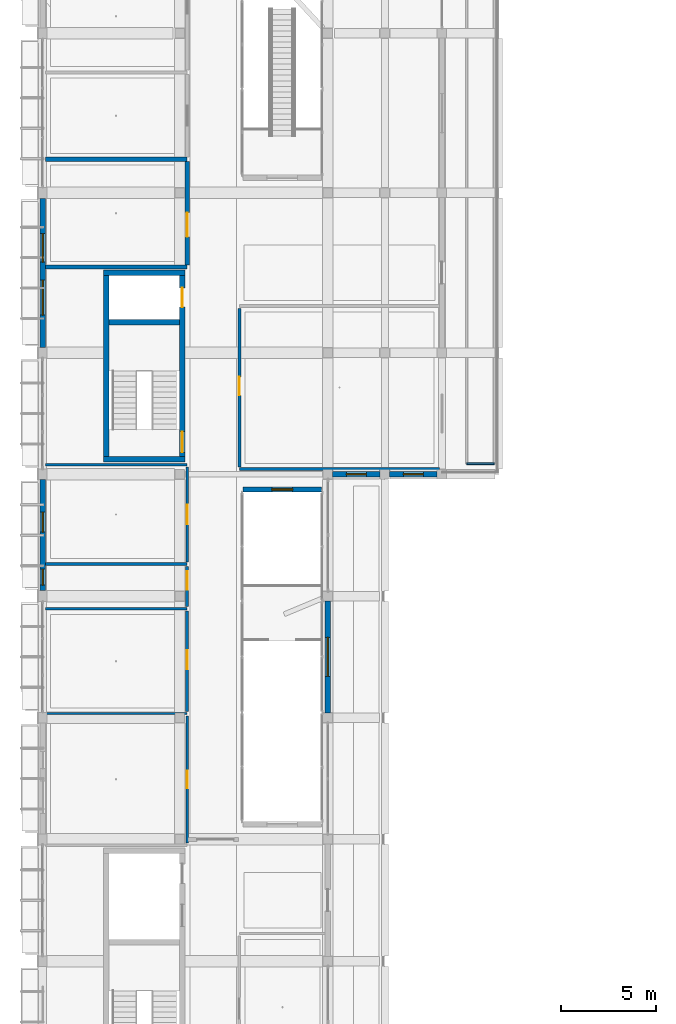
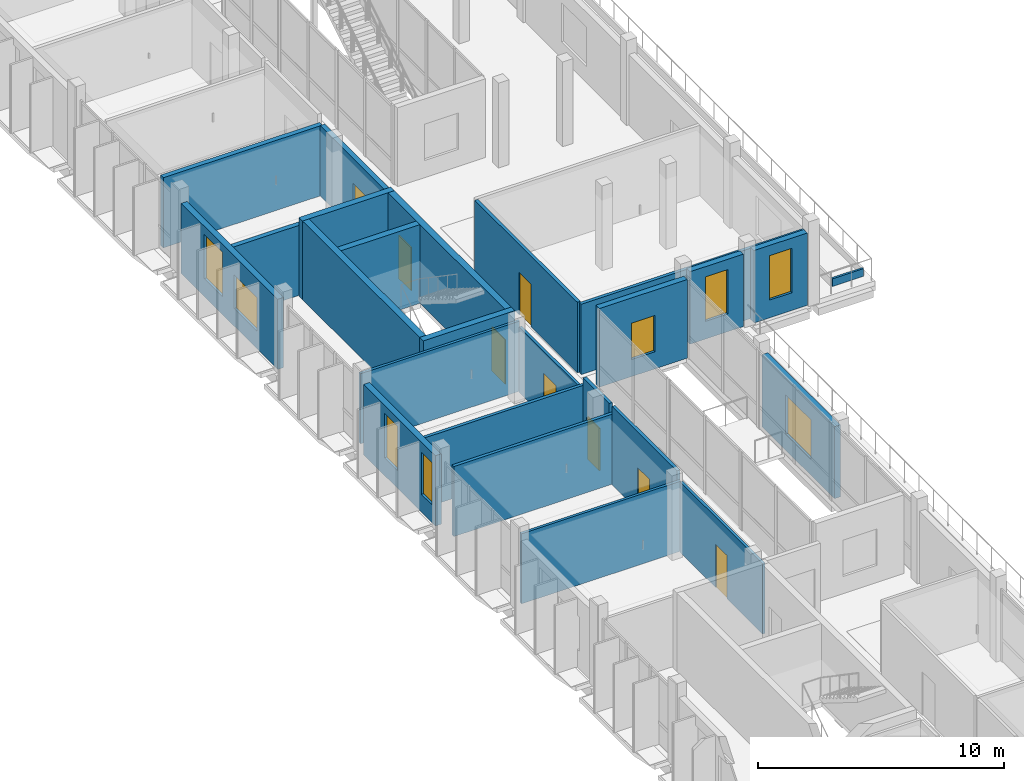
# One storey, part 48 of 85: 25 walls, 8 doors, 8 windows, 16 openings.
"""IFC4 building model written with IfcOpenShell, lengths in metres."""

import ifcopenshell
import ifcopenshell.guid

model = None  # the IFC model being written
_history = None  # IfcOwnerHistory: only IFC2X3 demands one
_inside = {}  # id of a spatial element -> (the spatial element, [elements in it])
_under = {}  # id of a project, library or spatial element -> (it, [spatial elements below it])
_declared = {}  # id of a project -> (the project, [libraries it declares])
_typed = {}  # id of a type object -> (the type object, [elements of that type])
_made_of = {}  # id of a material, layer set ... -> (it, [elements and type objects made of it])


def new_model(schema):
    """Start an empty IFC model of exactly this schema.

    Asked for "IFC4X3", IfcOpenShell would pick the latest addendum, in which some entities
    have other attributes; the version numbers below select the first issue.
    IFC2X3 requires an IfcOwnerHistory on every rooted entity: one is made here for all.
    """
    global model, _history
    if schema == "IFC4X3":
        model = ifcopenshell.file(schema_version=(4, 3, 0, 0))
    else:
        model = ifcopenshell.file(schema=schema)
    _inside.clear()
    _under.clear()
    _declared.clear()
    _typed.clear()
    _made_of.clear()
    _history = None
    if model.schema == "IFC2X3":
        org = make("IfcOrganization", Name="unknown")
        user = make(
            "IfcPersonAndOrganization",
            ThePerson=make("IfcPerson", FamilyName="unknown"),
            TheOrganization=org,
        )
        app = make(
            "IfcApplication",
            ApplicationDeveloper=org,
            Version="unknown",
            ApplicationFullName="unknown",
            ApplicationIdentifier="unknown",
        )
        _history = make(
            "IfcOwnerHistory",
            OwningUser=user,
            OwningApplication=app,
            ChangeAction="ADDED",
            CreationDate=0,
        )
    return model


def make(cls, **values):
    """One entity of the class cls with the attributes given. An attribute that is None is left unset."""
    return model.create_entity(
        cls, **{name: value for name, value in values.items() if value is not None}
    )


def rooted(cls, **values):
    """An entity with a GlobalId (a new one), such as an element, a storey or a relation."""
    return make(cls, GlobalId=ifcopenshell.guid.new(), OwnerHistory=_history, **values)


def si_unit(unit_type, name, prefix=None):
    """IfcSIUnit, for example si_unit("LENGTHUNIT", "METRE", prefix="MILLI")."""
    return make("IfcSIUnit", UnitType=unit_type, Prefix=prefix, Name=name)


def derived_unit(unit_type, elements):
    """IfcDerivedUnit: a product of units, each with its exponent."""
    return make(
        "IfcDerivedUnit",
        Elements=[
            make("IfcDerivedUnitElement", Unit=unit, Exponent=power)
            for unit, power in elements
        ],
        UnitType=unit_type,
    )


def assignment(units):
    """IfcUnitAssignment: the units of a project."""
    return None if units is None else make("IfcUnitAssignment", Units=units)


def point(xyz):
    """IfcCartesianPoint."""
    return None if xyz is None else make("IfcCartesianPoint", Coordinates=xyz)


def direction(xyz):
    """IfcDirection."""
    return None if xyz is None else make("IfcDirection", DirectionRatios=xyz)


def frame(location, z_axis=None, x_axis=None):
    """IfcAxis2Placement3D, a coordinate frame: its origin and axes. An axis left out is left unset."""
    return make(
        "IfcAxis2Placement3D",
        Location=point(location),
        Axis=direction(z_axis),
        RefDirection=direction(x_axis),
    )


def frame_2d(location, x_axis=None):
    """IfcAxis2Placement2D, a coordinate frame in the plane: its origin and x axis."""
    return make(
        "IfcAxis2Placement2D", Location=point(location), RefDirection=direction(x_axis)
    )


def origin():
    """The frame at (0, 0, 0) with its axes left unset."""
    return frame((0.0, 0.0, 0.0))


def origin_with_axes():
    """The frame at (0, 0, 0) with the z axis (0, 0, 1) and the x axis (1, 0, 0) written out."""
    return frame((0.0, 0.0, 0.0), z_axis=(0.0, 0.0, 1.0), x_axis=(1.0, 0.0, 0.0))


def place(relative_to, where):
    """IfcLocalPlacement: puts the frame where relative to a parent placement (None: the world)."""
    return make(
        "IfcLocalPlacement", PlacementRelTo=relative_to, RelativePlacement=where
    )


def context(
    kind, dimensions, precision=None, world=None, true_north=None, identifier=None
):
    """IfcGeometricRepresentationContext, for example the 3D "Model" context."""
    return make(
        "IfcGeometricRepresentationContext",
        ContextIdentifier=identifier,
        ContextType=kind,
        CoordinateSpaceDimension=dimensions,
        Precision=precision,
        WorldCoordinateSystem=world,
        TrueNorth=true_north,
    )


def subcontext(parent, identifier, kind, view, scale=None):
    """IfcGeometricRepresentationSubContext, for example "Body" below "Model"."""
    return make(
        "IfcGeometricRepresentationSubContext",
        ContextIdentifier=identifier,
        ContextType=kind,
        ParentContext=parent,
        TargetScale=scale,
        TargetView=view,
    )


def project(units=None, contexts=None):
    """IfcProject with its units and contexts."""
    return rooted(
        "IfcProject",
        Name="project",
        RepresentationContexts=contexts,
        UnitsInContext=assignment(units),
    )


def spatial(cls, under=None, at=None, **own):
    """A site, building, storey or space (cls), placed at a placement, below another one or the project."""
    s = rooted(cls, ObjectPlacement=at, **own)
    if under is not None:
        _under.setdefault(under.id(), (under, []))[1].append(s)
    return s


def profile(cls, at=None, kind="AREA", **sizes):
    """A parametric profile (cls). Its sizes go by their IFC names, for example OverallWidth=200.0."""
    return make(cls, ProfileType=kind, Position=at, **sizes)


def rectangle(**sizes):
    """IfcRectangleProfileDef."""
    return profile("IfcRectangleProfileDef", **sizes)


def extrude(swept, where, along, depth):
    """IfcExtrudedAreaSolid: the profile swept, set in the frame where, extruded along a direction by depth."""
    return make(
        "IfcExtrudedAreaSolid",
        SweptArea=swept,
        Position=where,
        ExtrudedDirection=direction(along),
        Depth=depth,
    )


def shape(context_of_items, identifier, shape_type, items):
    """IfcShapeRepresentation: the items that make up one representation, for example the "Body"."""
    return make(
        "IfcShapeRepresentation",
        ContextOfItems=context_of_items,
        RepresentationIdentifier=identifier,
        RepresentationType=shape_type,
        Items=items,
    )


def material(Name=None, Category=None):
    """IfcMaterial."""
    return make("IfcMaterial", Name=Name, Category=Category)


def layer(
    of_material, thickness, ventilated=None, Name=None, Category=None, Priority=None
):
    """IfcMaterialLayer: one layer of a wall or slab, of a material (None: an air gap)."""
    return make(
        "IfcMaterialLayer",
        Material=of_material,
        LayerThickness=thickness,
        IsVentilated=ventilated,
        Name=Name,
        Category=Category,
        Priority=Priority,
    )


def layer_set(layers, Name=None):
    """IfcMaterialLayerSet."""
    return make("IfcMaterialLayerSet", MaterialLayers=layers, LayerSetName=Name)


def made_of(thing, what):
    """Note that an element or type object is made of a material, layer set ...; save() writes the relation."""
    if what is not None:
        _made_of.setdefault(what.id(), (what, []))[1].append(thing)
    return thing


def type_object(cls, material=None, **own):
    """A type object (cls), such as IfcWallType, which elements share."""
    return made_of(rooted(cls, **own), material)


def element(
    cls,
    number,
    at=None,
    inside=None,
    cuts=None,
    type_object=None,
    material=None,
    context=None,
    identifier="Body",
    shape_type=None,
    held_by="IfcProductDefinitionShape",
    body=None,
    shapes=None,
    **own,
):
    """One element of the class cls, such as IfcWall. Its Tag is "e" and its number.

    at: its placement. inside: the storey or other place that contains it. cuts: it is an
    opening in that element (IfcRelVoidsElement). A single representation is given by context,
    identifier, shape_type and body (its items); several are given by shapes. held_by: the class
    of the entity that holds the representations. save() writes the other relations.
    """
    e = rooted(cls, Tag="e%d" % number, ObjectPlacement=at, **own)
    if body is not None:
        shapes = [shape(context, identifier, shape_type, body)]
    if shapes is not None:
        e.Representation = make(held_by, Representations=shapes)
    if inside is not None:
        _inside.setdefault(inside.id(), (inside, []))[1].append(e)
    if cuts is not None:
        rooted(
            "IfcRelVoidsElement", RelatingBuildingElement=cuts, RelatedOpeningElement=e
        )
    if type_object is not None:
        _typed.setdefault(type_object.id(), (type_object, []))[1].append(e)
    return made_of(e, material)


def fill(opening, filler):
    """IfcRelFillsElement: the door or window that sits in an opening."""
    return rooted(
        "IfcRelFillsElement",
        RelatingOpeningElement=opening,
        RelatedBuildingElement=filler,
    )


def aggregate(whole, parts):
    """IfcRelAggregates: a whole, such as a stair, and the parts it consists of."""
    return rooted("IfcRelAggregates", RelatingObject=whole, RelatedObjects=parts)


def save(model, path):
    """Write the relations noted so far, then the file.

    IfcRelAggregates (storeys below a building ...), IfcRelContainedInSpatialStructure (elements
    in a storey), IfcRelDefinesByType, IfcRelAssociatesMaterial and IfcRelDeclares: one each for
    every whole, place, type object, material and project.
    """
    for whole, parts in _under.values():
        aggregate(whole, parts)
    for where, things in _inside.values():
        rooted(
            "IfcRelContainedInSpatialStructure",
            RelatedElements=things,
            RelatingStructure=where,
        )
    for kind, things in _typed.values():
        rooted("IfcRelDefinesByType", RelatedObjects=things, RelatingType=kind)
    for what, things in _made_of.values():
        rooted("IfcRelAssociatesMaterial", RelatedObjects=things, RelatingMaterial=what)
    for by, libraries in _declared.values():
        rooted("IfcRelDeclares", RelatingContext=by, RelatedDefinitions=libraries)
    model.write(path)


model = new_model("IFC4")

# Units and contexts
model_context = context("Model", 3, precision=1e-05, world=origin(), true_north=direction((0.0, 1.0)))
body_context = subcontext(model_context, "Body", "Model", "MODEL_VIEW")
ifc_project = project(units=[si_unit("LENGTHUNIT", "METRE"), si_unit("AREAUNIT", "SQUARE_METRE"), si_unit("VOLUMEUNIT", "CUBIC_METRE"), si_unit("PLANEANGLEUNIT", "RADIAN"), si_unit("MASSUNIT", "GRAM", prefix="KILO"), derived_unit("THERMALTRANSMITTANCEUNIT", [(si_unit("POWERUNIT", "WATT"), 1), (si_unit("LENGTHUNIT", "METRE"), -2), (si_unit("THERMODYNAMICTEMPERATUREUNIT", "KELVIN"), -1)])], contexts=[model_context])

# Site, building, storey
site_placement = place(None, origin())
site = spatial("IfcSite", under=ifc_project, at=site_placement, CompositionType="ELEMENT")
building_placement = place(site_placement, origin())
building = spatial("IfcBuilding", under=site, at=building_placement, Name="Braskholm Square Health Centre", CompositionType="ELEMENT")
storey_placement = place(building_placement, frame((0.0, 0.0, 9.300048828125)))
storey = spatial("IfcBuildingStorey", under=building, at=storey_placement, Name="L03", CompositionType="ELEMENT", Elevation=9.300048828125)

# Wall, opening, door
ifc_material_1 = material(Name="Acoustic gypsum board partition")
ifc_layer_1 = layer(ifc_material_1, 0.125)
ifc_layer_set_1 = layer_set([ifc_layer_1], Name="Acoustic gypsum board partition")
wall_type_1 = type_object("IfcWallType", Name="ClinicalExamPartition125", PredefinedType="PARTITIONING", material=ifc_layer_set_1)
wall_1_placement = place(storey_placement, frame((11.800048828125, 29.6201171875, 0.0), z_axis=(0.0, 0.0, 1.0), x_axis=(0.0, 1.0, 0.0)))
wall_1 = element("IfcWall", 1, at=wall_1_placement, inside=storey, type_object=wall_type_1, Name="Interior partition PWALL-L03-0115", PredefinedType="PARTITIONING", context=body_context, shape_type="SweptSolid", body=[
    extrude(rectangle(XDim=6.679931640625, YDim=0.125, at=frame_2d((3.33984375, 0.0))), origin(), (0.0, 0.0, 1.0), 3.494873046875),
])
opening_1_placement = place(wall_1_placement, frame((2.8798828125, 0.0, 0.0)))
opening_1 = element("IfcOpeningElement", 2, at=opening_1_placement, cuts=wall_1, Name="Opening D-01", PredefinedType="OPENING", context=body_context, shape_type="SweptSolid", body=[
    extrude(rectangle(XDim=0.919921875, YDim=2.14990234375, at=frame_2d((0.4599609375, 1.074951171875))), frame((0.0, 0.072509765625, 0.0), z_axis=(0.0, -1.0, 0.0), x_axis=(1.0, 0.0, 0.0)), (0.0, 0.0, 1.0), 0.14501953125),
])
ifc_material_2 = material(Name="Architectural bronze anodised aluminium", Category="aluminium")
door_type_1 = type_object("IfcDoorType", Name="DoorConsultSingle920x2150", OperationType="NOTDEFINED", PredefinedType="DOOR", material=ifc_material_2)
door_1_placement = place(opening_1_placement, origin_with_axes())
door_1 = element("IfcDoor", 3, at=door_1_placement, inside=storey, type_object=door_type_1, Name="Interior door 0053 L03", OperationType="SINGLE_SWING_RIGHT", OverallHeight=2.14990234375, OverallWidth=0.919921875, PredefinedType="DOOR", context=body_context, shape_type="SweptSolid", body=[
    extrude(rectangle(XDim=0.919921875, YDim=2.14990234375, at=frame_2d((0.4599609375, 1.074951171875))), frame((0.0, 0.02490234375, 0.0), z_axis=(0.0, -1.0, 0.0), x_axis=(1.0, 0.0, 0.0)), (0.0, 0.0, 1.0), 0.050048828125),
])
fill(opening_1, door_1)

# Wall
wall_2_placement = place(storey_placement, frame((4.340087890625, 36.419921875, 0.0), z_axis=(0.0, 0.0, 1.0), x_axis=(1.0, 0.0, 0.0)))
element("IfcWall", 4, at=wall_2_placement, inside=storey, type_object=wall_type_1, Name="Interior partition PWALL-L03-0116", PredefinedType="PARTITIONING", context=body_context, shape_type="SweptSolid", body=[
    extrude(rectangle(XDim=7.4599609375, YDim=0.125, at=frame_2d((3.72998046875, 0.0))), origin(), (0.0, 0.0, 1.0), 3.474853515625),
])

# Wall, opening, door
wall_3_placement = place(storey_placement, frame((11.800048828125, 44.39990234375, 0.0), z_axis=(0.0, 0.0, 1.0), x_axis=(0.0, 1.0, 0.0)))
wall_3 = element("IfcWall", 5, at=wall_3_placement, inside=storey, type_object=wall_type_1, Name="Interior partition PWALL-L03-0122", PredefinedType="PARTITIONING", context=body_context, shape_type="SweptSolid", body=[
    extrude(rectangle(XDim=4.97998046875, YDim=0.125, at=frame_2d((2.489990234375, 0.0))), origin(), (0.0, 0.0, 1.0), 3.244873046875),
])
opening_2_placement = place(wall_3_placement, frame((1.969970703125, 0.0, 0.0)))
opening_2 = element("IfcOpeningElement", 6, at=opening_2_placement, cuts=wall_3, Name="Opening D-09", PredefinedType="OPENING", context=body_context, shape_type="SweptSolid", body=[
    extrude(rectangle(XDim=1.0400390625, YDim=2.14990234375, at=frame_2d((0.52001953125, 1.074951171875))), frame((0.0, 0.072509765625, 0.0), z_axis=(0.0, -1.0, 0.0), x_axis=(1.0, 0.0, 0.0)), (0.0, 0.0, 1.0), 0.14501953125),
])
door_type_2 = type_object("IfcDoorType", Name="DoorDentalOperatory1040x2150", OperationType="NOTDEFINED", PredefinedType="DOOR", material=ifc_material_2)
door_2_placement = place(opening_2_placement, origin_with_axes())
door_2 = element("IfcDoor", 7, at=door_2_placement, inside=storey, type_object=door_type_2, Name="Interior door 0056 L03", OperationType="SINGLE_SWING_LEFT", OverallHeight=2.14990234375, OverallWidth=1.0400390625, PredefinedType="DOOR", context=body_context, shape_type="SweptSolid", body=[
    extrude(rectangle(XDim=1.0400390625, YDim=2.14990234375, at=frame_2d((0.52001953125, 1.074951171875))), frame((0.0, 0.02490234375, 0.0), z_axis=(0.0, -1.0, 0.0), x_axis=(1.0, 0.0, 0.0)), (0.0, 0.0, 1.0), 0.050048828125),
])
fill(opening_2, door_2)

# Wall
wall_4_placement = place(storey_placement, frame((4.340087890625, 49.5, 0.0), z_axis=(0.0, 0.0, 1.0), x_axis=(1.0, 0.0, 0.0)))
element("IfcWall", 8, at=wall_4_placement, inside=storey, type_object=wall_type_1, Name="Interior partition PWALL-L03-0123", PredefinedType="PARTITIONING", context=body_context, shape_type="SweptSolid", body=[
    extrude(rectangle(XDim=7.4599609375, YDim=0.125, at=frame_2d((3.72998046875, 0.0))), origin(), (0.0, 0.0, 1.0), 3.474853515625),
])

# Wall, opening, door
ifc_layer_2 = layer(ifc_material_1, 0.14990234375)
ifc_layer_set_2 = layer_set([ifc_layer_2], Name="Acoustic gypsum board partition")
wall_type_2 = type_object("IfcWallType", Name="CorridorAcousticPartition150", PredefinedType="PARTITIONING", material=ifc_layer_set_2)
wall_5_placement = place(storey_placement, frame((11.800048828125, 36.5400390625, 0.0), z_axis=(0.0, 0.0, 1.0), x_axis=(0.0, 1.0, 0.0)))
wall_5 = element("IfcWall", 9, at=wall_5_placement, inside=storey, type_object=wall_type_2, Name="Interior partition PWALL-L03-0118", PredefinedType="PARTITIONING", context=body_context, shape_type="SweptSolid", body=[
    extrude(rectangle(XDim=5.27001953125, YDim=0.14990234375, at=frame_2d((2.635009765625, 0.0))), origin(), (0.0, 0.0, 1.0), 3.89501953125),
])
opening_3_placement = place(wall_5_placement, frame((2.219970703125, 0.0, 0.0)))
opening_3 = element("IfcOpeningElement", 10, at=opening_3_placement, cuts=wall_5, Name="Opening D-10", PredefinedType="OPENING", context=body_context, shape_type="SweptSolid", body=[
    extrude(rectangle(XDim=0.97998046875, YDim=2.1201171875, at=frame_2d((0.489990234375, 1.06005859375))), frame((0.0, 0.0849609375, 0.0), z_axis=(0.0, -1.0, 0.0), x_axis=(1.0, 0.0, 0.0)), (0.0, 0.0, 1.0), 0.169921875),
])
door_type_3 = type_object("IfcDoorType", Name="DoorUtilityStore980x2120", OperationType="NOTDEFINED", PredefinedType="DOOR", material=ifc_material_2)
door_3_placement = place(opening_3_placement, origin_with_axes())
door_3 = element("IfcDoor", 11, at=door_3_placement, inside=storey, type_object=door_type_3, Name="Interior door 0054 L03", OperationType="SINGLE_SWING_LEFT", OverallHeight=2.1201171875, OverallWidth=0.97998046875, PredefinedType="DOOR", context=body_context, shape_type="SweptSolid", body=[
    extrude(rectangle(XDim=0.97998046875, YDim=2.1201171875, at=frame_2d((0.489990234375, 1.06005859375))), frame((0.0, 0.02490234375, 0.0), z_axis=(0.0, -1.0, 0.0), x_axis=(1.0, 0.0, 0.0)), (0.0, 0.0, 1.0), 0.050048828125),
])
fill(opening_3, door_3)

# Wall
wall_6_placement = place(storey_placement, frame((4.340087890625, 41.929931640625, 0.0), z_axis=(0.0, 0.0, 1.0), x_axis=(1.0, 0.0, 0.0)))
element("IfcWall", 12, at=wall_6_placement, inside=storey, type_object=wall_type_2, Name="Interior partition PWALL-L03-0119", PredefinedType="PARTITIONING", context=body_context, shape_type="SweptSolid", body=[
    extrude(rectangle(XDim=7.4599609375, YDim=0.14990234375, at=frame_2d((3.72998046875, 0.0))), origin(), (0.0, 0.0, 1.0), 3.474853515625),
])

# Wall, opening, door
wall_7_placement = place(storey_placement, frame((11.800048828125, 42.050048828125, 0.0), z_axis=(0.0, 0.0, 1.0), x_axis=(0.0, 1.0, 0.0)))
wall_7 = element("IfcWall", 13, at=wall_7_placement, inside=storey, type_object=wall_type_2, Name="Interior partition PWALL-L03-0120", PredefinedType="PARTITIONING", context=body_context, shape_type="SweptSolid", body=[
    extrude(rectangle(XDim=2.10986328125, YDim=0.14990234375, at=frame_2d((1.054931640625, 0.0))), origin(), (0.0, 0.0, 1.0), 3.89501953125),
])
opening_4_placement = place(wall_7_placement, frame((0.889892578125, 0.0, 0.0)))
opening_4 = element("IfcOpeningElement", 14, at=opening_4_placement, cuts=wall_7, Name="Opening D-05", PredefinedType="OPENING", context=body_context, shape_type="SweptSolid", body=[
    extrude(rectangle(XDim=0.9599609375, YDim=2.10009765625, at=frame_2d((0.47998046875, 1.050048828125))), frame((0.0, 0.0849609375, 0.0), z_axis=(0.0, -1.0, 0.0), x_axis=(1.0, 0.0, 0.0)), (0.0, 0.0, 1.0), 0.169921875),
])
door_type_4 = type_object("IfcDoorType", Name="DoorAccessibleWC960x2100", OperationType="NOTDEFINED", PredefinedType="DOOR", material=ifc_material_2)
door_4_placement = place(opening_4_placement, origin_with_axes())
door_4 = element("IfcDoor", 15, at=door_4_placement, inside=storey, type_object=door_type_4, Name="Interior door 0055 L03", OperationType="SINGLE_SWING_RIGHT", OverallHeight=2.10009765625, OverallWidth=0.9599609375, PredefinedType="DOOR", context=body_context, shape_type="SweptSolid", body=[
    extrude(rectangle(XDim=0.9599609375, YDim=2.10009765625, at=frame_2d((0.47998046875, 1.050048828125))), frame((0.0, 0.02490234375, 0.0), z_axis=(0.0, -1.0, 0.0), x_axis=(1.0, 0.0, 0.0)), (0.0, 0.0, 1.0), 0.050048828125),
])
fill(opening_4, door_4)

# Wall
wall_8_placement = place(storey_placement, frame((4.340087890625, 44.280029296875, 0.0), z_axis=(0.0, 0.0, 1.0), x_axis=(1.0, 0.0, 0.0)))
element("IfcWall", 16, at=wall_8_placement, inside=storey, type_object=wall_type_2, Name="Interior partition PWALL-L03-0121", PredefinedType="PARTITIONING", context=body_context, shape_type="SweptSolid", body=[
    extrude(rectangle(XDim=7.4599609375, YDim=0.14990234375, at=frame_2d((3.72998046875, 0.0))), origin(), (0.0, 0.0, 1.0), 3.474853515625),
])

# Wall, opening, door
wall_9_placement = place(storey_placement, frame((14.550048828125, 49.39990234375, 0.0), z_axis=(0.0, 0.0, 1.0), x_axis=(0.0, 1.0, 0.0)))
wall_9 = element("IfcWall", 17, at=wall_9_placement, inside=storey, type_object=wall_type_2, Name="Interior partition PWALL-L03-0148", PredefinedType="PARTITIONING", context=body_context, shape_type="SweptSolid", body=[
    extrude(rectangle(XDim=8.330078125, YDim=0.14990234375, at=frame_2d((4.1650390625, 0.0))), origin(), (0.0, 0.0, 1.0), 3.494873046875),
])
opening_5_placement = place(wall_9_placement, frame((3.7509765625, 0.0, 0.0)))
opening_5 = element("IfcOpeningElement", 18, at=opening_5_placement, cuts=wall_9, Name="Opening D-10", PredefinedType="OPENING", context=body_context, shape_type="SweptSolid", body=[
    extrude(rectangle(XDim=0.97998046875, YDim=2.1201171875, at=frame_2d((0.489990234375, 1.06005859375))), frame((0.0, 0.0849609375, 0.0), z_axis=(0.0, -1.0, 0.0), x_axis=(1.0, 0.0, 0.0)), (0.0, 0.0, 1.0), 0.169921875),
])
door_5_placement = place(opening_5_placement, frame((0.97998046875, 0.0, 0.0), z_axis=(0.0, 0.0, 1.0), x_axis=(-1.0, 0.0, 0.0)))
door_5 = element("IfcDoor", 19, at=door_5_placement, inside=storey, type_object=door_type_3, Name="Interior door 0069 L03", OperationType="SINGLE_SWING_RIGHT", OverallHeight=2.1201171875, OverallWidth=0.97998046875, PredefinedType="DOOR", context=body_context, shape_type="SweptSolid", body=[
    extrude(rectangle(XDim=0.97998046875, YDim=2.1201171875, at=frame_2d((0.489990234375, 1.06005859375))), frame((0.0, 0.02490234375, 0.0), z_axis=(0.0, -1.0, 0.0), x_axis=(1.0, 0.0, 0.0)), (0.0, 0.0, 1.0), 0.050048828125),
])
fill(opening_5, door_5)

# Wall
wall_10_placement = place(storey_placement, frame((14.550048828125, 49.280029296875, 0.0), z_axis=(0.0, 0.0, 1.0), x_axis=(1.0, 0.0, 0.0)))
element("IfcWall", 20, at=wall_10_placement, inside=storey, type_object=wall_type_2, Name="Interior partition PWALL-L03-0149", PredefinedType="PARTITIONING", context=body_context, shape_type="SweptSolid", body=[
    extrude(rectangle(XDim=10.510009765625, YDim=0.14990234375, at=frame_2d((5.2548828125, 0.0))), origin(), (0.0, 0.0, 1.0), 3.48486328125),
])

# Wall, openings, windows
ifc_material_3 = material(Name="Precast concrete C40/50 architectural white", Category="concrete")
ifc_layer_3 = layer(ifc_material_3, 0.280029296875)
ifc_layer_set_3 = layer_set([ifc_layer_3], Name="Precast concrete C40/50 architectural white")
wall_type_3 = type_object("IfcWallType", Name="ExteriorPrecastSpandrelWall280", PredefinedType="SOLIDWALL", material=ifc_layer_set_3)
wall_11_placement = place(storey_placement, frame((4.199951171875, 48.718017578125, 0.0), z_axis=(0.0, 0.0, 1.0), x_axis=(0.0, -1.0, 0.0)))
wall_11 = element("IfcWall", 21, at=wall_11_placement, inside=storey, type_object=wall_type_3, Name="Exterior wall EWALL-L03-0023", PredefinedType="SOLIDWALL", context=body_context, shape_type="SweptSolid", body=[
    extrude(rectangle(XDim=5.8359375, YDim=0.280029296875, at=frame_2d((2.91796875, 0.0))), origin(), (0.0, 0.0, 1.0), 3.47998046875),
])
opening_6_placement = place(wall_11_placement, frame((1.70703125, 0.0, 0.8798828125)))
opening_6 = element("IfcOpeningElement", 22, at=opening_6_placement, cuts=wall_11, Name="Opening WN-02", PredefinedType="OPENING", context=body_context, shape_type="SweptSolid", body=[
    extrude(rectangle(XDim=1.050048828125, YDim=2.199951171875, at=frame_2d((0.52490234375, 1.10009765625))), frame((0.0, 0.14990234375, 0.0), z_axis=(0.0, -1.0, 0.0), x_axis=(1.0, 0.0, 0.0)), (0.0, 0.0, 1.0), 0.300048828125),
])
opening_7_placement = place(wall_11_placement, frame((4.699951171875, 0.0, 0.8798828125)))
opening_7 = element("IfcOpeningElement", 23, at=opening_7_placement, cuts=wall_11, Name="Opening WN-32", PredefinedType="OPENING", context=body_context, shape_type="SweptSolid", body=[
    extrude(rectangle(XDim=0.85009765625, YDim=2.10009765625, at=frame_2d((0.425048828125, 1.050048828125))), frame((0.0, 0.14990234375, 0.0), z_axis=(0.0, -1.0, 0.0), x_axis=(1.0, 0.0, 0.0)), (0.0, 0.0, 1.0), 0.300048828125),
])
ifc_material_4 = material(Name="Low-E triple insulating glass (VLT 0.64)", Category="glass")
window_type_1 = type_object("IfcWindowType", Name="WinArtDecoLancet1050x2200", PartitioningType="SINGLE_PANEL", PredefinedType="WINDOW", material=ifc_material_4)
window_1_placement = place(opening_6_placement, origin_with_axes())
window_1 = element("IfcWindow", 24, at=window_1_placement, inside=storey, type_object=window_type_1, Name="Exterior window 0041 L03", OverallHeight=2.199951171875, OverallWidth=1.050048828125, PartitioningType="SINGLE_PANEL", PredefinedType="WINDOW", context=body_context, shape_type="SweptSolid", body=[
    extrude(rectangle(XDim=1.050048828125, YDim=2.199951171875, at=frame_2d((0.52490234375, 1.10009765625))), frame((0.0, 0.030029296875, 0.0), z_axis=(0.0, -1.0, 0.0), x_axis=(1.0, 0.0, 0.0)), (0.0, 0.0, 1.0), 0.06005859375),
])
fill(opening_6, window_1)
window_type_2 = type_object("IfcWindowType", Name="WinArtDecoNarrow850x2100", PartitioningType="SINGLE_PANEL", PredefinedType="WINDOW", material=ifc_material_4)
window_2_placement = place(opening_7_placement, origin_with_axes())
window_2 = element("IfcWindow", 25, at=window_2_placement, inside=storey, type_object=window_type_2, Name="Exterior window 0042 L03", OverallHeight=2.10009765625, OverallWidth=0.85009765625, PartitioningType="SINGLE_PANEL", PredefinedType="WINDOW", context=body_context, shape_type="SweptSolid", body=[
    extrude(rectangle(XDim=0.85009765625, YDim=2.10009765625, at=frame_2d((0.425048828125, 1.050048828125))), frame((0.0, 0.030029296875, 0.0), z_axis=(0.0, -1.0, 0.0), x_axis=(1.0, 0.0, 0.0)), (0.0, 0.0, 1.0), 0.06005859375),
])
fill(opening_7, window_2)

wall_12_placement = place(storey_placement, frame((4.199951171875, 63.51806640625, 0.0), z_axis=(0.0, 0.0, 1.0), x_axis=(0.0, -1.0, 0.0)))
wall_12 = element("IfcWall", 26, at=wall_12_placement, inside=storey, type_object=wall_type_3, Name="Exterior wall EWALL-L03-0024", PredefinedType="SOLIDWALL", context=body_context, shape_type="SweptSolid", body=[
    extrude(rectangle(XDim=7.836181640625, YDim=0.280029296875, at=frame_2d((3.91796875, 0.0))), origin(), (0.0, 0.0, 1.0), 3.47998046875),
])
opening_8_placement = place(wall_12_placement, frame((1.862060546875, 0.0, 0.8798828125)))
opening_8 = element("IfcOpeningElement", 27, at=opening_8_placement, cuts=wall_12, Name="Opening WN-03", PredefinedType="OPENING", context=body_context, shape_type="SweptSolid", body=[
    extrude(rectangle(XDim=1.5, YDim=2.199951171875, at=frame_2d((0.75, 1.10009765625))), frame((0.0, 0.14990234375, 0.0), z_axis=(0.0, -1.0, 0.0), x_axis=(1.0, 0.0, 0.0)), (0.0, 0.0, 1.0), 0.300048828125),
])
opening_9_placement = place(wall_12_placement, frame((4.299072265625, 0.0, 0.8798828125)))
opening_9 = element("IfcOpeningElement", 28, at=opening_9_placement, cuts=wall_12, Name="Opening WN-20", PredefinedType="OPENING", context=body_context, shape_type="SweptSolid", body=[
    extrude(rectangle(XDim=1.85009765625, YDim=1.64990234375, at=frame_2d((0.925048828125, 0.824951171875))), frame((0.0, 0.14990234375, 0.0), z_axis=(0.0, -1.0, 0.0), x_axis=(1.0, 0.0, 0.0)), (0.0, 0.0, 1.0), 0.300048828125),
])
window_type_3 = type_object("IfcWindowType", Name="WinArtDecoTwin1500x2200", PartitioningType="SINGLE_PANEL", PredefinedType="WINDOW", material=ifc_material_4)
window_3_placement = place(opening_8_placement, origin_with_axes())
window_3 = element("IfcWindow", 29, at=window_3_placement, inside=storey, type_object=window_type_3, Name="Exterior window 0043 L03", OverallHeight=2.199951171875, OverallWidth=1.5, PartitioningType="SINGLE_PANEL", PredefinedType="WINDOW", context=body_context, shape_type="SweptSolid", body=[
    extrude(rectangle(XDim=1.5, YDim=2.199951171875, at=frame_2d((0.75, 1.10009765625))), frame((0.0, 0.030029296875, 0.0), z_axis=(0.0, -1.0, 0.0), x_axis=(1.0, 0.0, 0.0)), (0.0, 0.0, 1.0), 0.06005859375),
])
fill(opening_8, window_3)
window_type_4 = type_object("IfcWindowType", Name="WinBehavioralGroup1850x1650", PartitioningType="SINGLE_PANEL", PredefinedType="WINDOW", material=ifc_material_4)
window_4_placement = place(opening_9_placement, origin_with_axes())
window_4 = element("IfcWindow", 30, at=window_4_placement, inside=storey, type_object=window_type_4, Name="Exterior window 0044 L03", OverallHeight=1.64990234375, OverallWidth=1.85009765625, PartitioningType="SINGLE_PANEL", PredefinedType="WINDOW", context=body_context, shape_type="SweptSolid", body=[
    extrude(rectangle(XDim=1.85009765625, YDim=1.64990234375, at=frame_2d((0.925048828125, 0.824951171875))), frame((0.0, 0.030029296875, 0.0), z_axis=(0.0, -1.0, 0.0), x_axis=(1.0, 0.0, 0.0)), (0.0, 0.0, 1.0), 0.06005859375),
])
fill(opening_9, window_4)

# Wall, opening, window
wall_13_placement = place(storey_placement, frame((19.199951171875, 36.451904296875, 0.0), z_axis=(0.0, 0.0, 1.0), x_axis=(0.0, 1.0, 0.0)))
wall_13 = element("IfcWall", 31, at=wall_13_placement, inside=storey, type_object=wall_type_3, Name="Exterior wall EWALL-L03-0121", PredefinedType="SOLIDWALL", context=body_context, shape_type="SweptSolid", body=[
    extrude(rectangle(XDim=5.89599609375, YDim=0.280029296875, at=frame_2d((2.947998046875, 0.0))), origin(), (0.0, 0.0, 1.0), 3.570068359375),
])
opening_10_placement = place(wall_13_placement, frame((1.923095703125, 0.0, 0.800048828125)))
opening_10 = element("IfcOpeningElement", 32, at=opening_10_placement, cuts=wall_13, Name="Opening WN-25", PredefinedType="OPENING", context=body_context, shape_type="SweptSolid", body=[
    extrude(rectangle(XDim=2.050048828125, YDim=1.949951171875, at=frame_2d((1.02490234375, 0.97509765625))), frame((0.0, 0.14990234375, 0.0), z_axis=(0.0, -1.0, 0.0), x_axis=(1.0, 0.0, 0.0)), (0.0, 0.0, 1.0), 0.300048828125),
])
window_type_5 = type_object("IfcWindowType", Name="WinValleyTerrace2050x1950", PartitioningType="SINGLE_PANEL", PredefinedType="WINDOW", material=ifc_material_4)
window_5_placement = place(opening_10_placement, origin_with_axes())
window_5 = element("IfcWindow", 33, at=window_5_placement, inside=storey, type_object=window_type_5, Name="Exterior window 0187 L03", OverallHeight=1.949951171875, OverallWidth=2.050048828125, PartitioningType="SINGLE_PANEL", PredefinedType="WINDOW", context=body_context, shape_type="SweptSolid", body=[
    extrude(rectangle(XDim=2.050048828125, YDim=1.949951171875, at=frame_2d((1.02490234375, 0.97509765625))), frame((0.0, 0.030029296875, 0.0), z_axis=(0.0, -1.0, 0.0), x_axis=(1.0, 0.0, 0.0)), (0.0, 0.0, 1.0), 0.06005859375),
])
fill(opening_10, window_5)

wall_14_placement = place(storey_placement, frame((19.451904296875, 49.0, 0.0), z_axis=(0.0, 0.0, 1.0), x_axis=(1.0, 0.0, 0.0)))
wall_14 = element("IfcWall", 34, at=wall_14_placement, inside=storey, type_object=wall_type_3, Name="Exterior wall EWALL-L03-0213", PredefinedType="SOLIDWALL", context=body_context, shape_type="SweptSolid", body=[
    extrude(rectangle(XDim=2.49609375, YDim=0.280029296875, at=frame_2d((1.248046875, 0.0))), origin(), (0.0, 0.0, 1.0), 3.58984375),
])
opening_11_placement = place(wall_14_placement, frame((0.722900390625, 0.0, 0.8798828125)))
opening_11 = element("IfcOpeningElement", 35, at=opening_11_placement, cuts=wall_14, Name="Opening WN-02", PredefinedType="OPENING", context=body_context, shape_type="SweptSolid", body=[
    extrude(rectangle(XDim=1.050048828125, YDim=2.199951171875, at=frame_2d((0.52490234375, 1.10009765625))), frame((0.0, 0.14990234375, 0.0), z_axis=(0.0, -1.0, 0.0), x_axis=(1.0, 0.0, 0.0)), (0.0, 0.0, 1.0), 0.300048828125),
])
window_6_placement = place(opening_11_placement, origin_with_axes())
window_6 = element("IfcWindow", 36, at=window_6_placement, inside=storey, type_object=window_type_1, Name="Exterior window 0264 L03", OverallHeight=2.199951171875, OverallWidth=1.050048828125, PartitioningType="SINGLE_PANEL", PredefinedType="WINDOW", context=body_context, shape_type="SweptSolid", body=[
    extrude(rectangle(XDim=1.050048828125, YDim=2.199951171875, at=frame_2d((0.52490234375, 1.10009765625))), frame((0.0, 0.030029296875, 0.0), z_axis=(0.0, -1.0, 0.0), x_axis=(1.0, 0.0, 0.0)), (0.0, 0.0, 1.0), 0.06005859375),
])
fill(opening_11, window_6)

wall_15_placement = place(storey_placement, frame((22.451904296875, 49.0, 0.0), z_axis=(0.0, 0.0, 1.0), x_axis=(1.0, 0.0, 0.0)))
wall_15 = element("IfcWall", 37, at=wall_15_placement, inside=storey, type_object=wall_type_3, Name="Exterior wall EWALL-L03-0214", PredefinedType="SOLIDWALL", context=body_context, shape_type="SweptSolid", body=[
    extrude(rectangle(XDim=2.49609375, YDim=0.280029296875, at=frame_2d((1.248046875, 0.0))), origin(), (0.0, 0.0, 1.0), 3.58984375),
])
opening_12_placement = place(wall_15_placement, frame((0.722900390625, 0.0, 0.8798828125)))
opening_12 = element("IfcOpeningElement", 38, at=opening_12_placement, cuts=wall_15, Name="Opening WN-02", PredefinedType="OPENING", context=body_context, shape_type="SweptSolid", body=[
    extrude(rectangle(XDim=1.050048828125, YDim=2.199951171875, at=frame_2d((0.52490234375, 1.10009765625))), frame((0.0, 0.14990234375, 0.0), z_axis=(0.0, -1.0, 0.0), x_axis=(1.0, 0.0, 0.0)), (0.0, 0.0, 1.0), 0.300048828125),
])
window_7_placement = place(opening_12_placement, origin_with_axes())
window_7 = element("IfcWindow", 39, at=window_7_placement, inside=storey, type_object=window_type_1, Name="Exterior window 0265 L03", OverallHeight=2.199951171875, OverallWidth=1.050048828125, PartitioningType="SINGLE_PANEL", PredefinedType="WINDOW", context=body_context, shape_type="SweptSolid", body=[
    extrude(rectangle(XDim=1.050048828125, YDim=2.199951171875, at=frame_2d((0.52490234375, 1.10009765625))), frame((0.0, 0.030029296875, 0.0), z_axis=(0.0, -1.0, 0.0), x_axis=(1.0, 0.0, 0.0)), (0.0, 0.0, 1.0), 0.06005859375),
])
fill(opening_12, window_7)

wall_16_placement = place(storey_placement, frame((14.73388671875, 48.199951171875, 0.0), z_axis=(0.0, 0.0, 1.0), x_axis=(1.0, 0.0, 0.0)))
wall_16 = element("IfcWall", 40, at=wall_16_placement, inside=storey, type_object=wall_type_3, Name="Exterior wall EWALL-L03-0288", PredefinedType="SOLIDWALL", context=body_context, shape_type="SweptSolid", body=[
    extrude(rectangle(XDim=4.132080078125, YDim=0.280029296875, at=frame_2d((2.06591796875, 0.0))), origin(), (0.0, 0.0, 1.0), 3.89990234375),
])
opening_13_placement = place(wall_16_placement, frame((1.51611328125, 0.0, 0.85009765625)))
opening_13 = element("IfcOpeningElement", 41, at=opening_13_placement, cuts=wall_16, Name="Opening WN-26", PredefinedType="OPENING", context=body_context, shape_type="SweptSolid", body=[
    extrude(rectangle(XDim=1.10009765625, YDim=1.800048828125, at=frame_2d((0.550048828125, 0.89990234375))), frame((0.0, 0.14990234375, 0.0), z_axis=(0.0, -1.0, 0.0), x_axis=(1.0, 0.0, 0.0)), (0.0, 0.0, 1.0), 0.300048828125),
])
window_type_6 = type_object("IfcWindowType", Name="WinLightCourt1100x1800", PartitioningType="SINGLE_PANEL", PredefinedType="WINDOW", material=ifc_material_4)
window_8_placement = place(opening_13_placement, origin_with_axes())
window_8 = element("IfcWindow", 42, at=window_8_placement, inside=storey, type_object=window_type_6, Name="Exterior window 0334 L03", OverallHeight=1.800048828125, OverallWidth=1.10009765625, PartitioningType="SINGLE_PANEL", PredefinedType="WINDOW", context=body_context, shape_type="SweptSolid", body=[
    extrude(rectangle(XDim=1.10009765625, YDim=1.800048828125, at=frame_2d((0.550048828125, 0.89990234375))), frame((0.0, 0.030029296875, 0.0), z_axis=(0.0, -1.0, 0.0), x_axis=(1.0, 0.0, 0.0)), (0.0, 0.0, 1.0), 0.06005859375),
])
fill(opening_13, window_8)

# Wall, opening, door
ifc_material_5 = material(Name="Fire-rated gypsum board barrier")
ifc_layer_4 = layer(ifc_material_5, 0.22509765625)
ifc_layer_set_4 = layer_set([ifc_layer_4], Name="Fire-rated gypsum board barrier")
wall_type_4 = type_object("IfcWallType", Name="ImagingShieldedWall225", PredefinedType="SOLIDWALL", material=ifc_layer_set_4)
wall_17_placement = place(storey_placement, frame((11.800048828125, 60.02001953125, 0.0), z_axis=(0.0, 0.0, 1.0), x_axis=(0.0, 1.0, 0.0)))
wall_17 = element("IfcWall", 43, at=wall_17_placement, inside=storey, type_object=wall_type_4, Name="Interior partition PWALL-L03-0124", PredefinedType="SOLIDWALL", context=body_context, shape_type="SweptSolid", body=[
    extrude(rectangle(XDim=5.429931640625, YDim=0.22509765625, at=frame_2d((2.71484375, 0.0))), origin(), (0.0, 0.0, 1.0), 3.494873046875),
])
opening_14_placement = place(wall_17_placement, frame((1.469970703125, 0.0, 0.0)))
opening_14 = element("IfcOpeningElement", 44, at=opening_14_placement, cuts=wall_17, Name="Opening D-20", PredefinedType="OPENING", context=body_context, shape_type="SweptSolid", body=[
    extrude(rectangle(XDim=1.280029296875, YDim=2.25, at=frame_2d((0.64013671875, 1.125))), frame((0.0, 0.12255859375, 0.0), z_axis=(0.0, -1.0, 0.0), x_axis=(1.0, 0.0, 0.0)), (0.0, 0.0, 1.0), 0.2451171875),
])
door_type_5 = type_object("IfcDoorType", Name="DoorLeadXRay1280x2250", OperationType="NOTDEFINED", PredefinedType="DOOR", material=ifc_material_2)
door_6_placement = place(opening_14_placement, origin_with_axes())
door_6 = element("IfcDoor", 45, at=door_6_placement, inside=storey, type_object=door_type_5, Name="Interior door 0057 L03", OperationType="SINGLE_SWING_RIGHT", OverallHeight=2.25, OverallWidth=1.280029296875, PredefinedType="DOOR", context=body_context, shape_type="SweptSolid", body=[
    extrude(rectangle(XDim=1.280029296875, YDim=2.25, at=frame_2d((0.64013671875, 1.125))), frame((0.0, 0.02490234375, 0.0), z_axis=(0.0, -1.0, 0.0), x_axis=(1.0, 0.0, 0.0)), (0.0, 0.0, 1.0), 0.050048828125),
])
fill(opening_14, door_6)

# Walls
for number, where, z_axis, x_axis, name in (
    (46, (4.340087890625, 65.570068359375, 0.0), (0.0, 0.0, 1.0), (1.0, 0.0, 0.0), "Interior partition PWALL-L03-0125"),
    (47, (4.340087890625, 59.89990234375, 0.0), (0.0, 0.0, 1.0), (1.0, 0.0, 0.0), "Interior partition PWALL-L03-0126"),
):
    element("IfcWall", number, at=place(storey_placement, frame(where, z_axis=z_axis, x_axis=x_axis)), inside=storey, type_object=wall_type_4, Name=name, PredefinedType="SOLIDWALL", context=body_context, shape_type="SweptSolid", body=[
        extrude(rectangle(XDim=7.4599609375, YDim=0.22509765625, at=frame_2d((3.72998046875, 0.0))), origin(), (0.0, 0.0, 1.0), 3.474853515625),
    ])
ifc_material_6 = material(Name="Concrete C40/50 (f'c = 40 MPa)", Category="concrete")
ifc_layer_5 = layer(ifc_material_6, 0.300048828125)
ifc_layer_set_5 = layer_set([ifc_layer_5], Name="Concrete C40/50 (f'c = 40 MPa)")
wall_type_5 = type_object("IfcWallType", Name="ShearCoreWall300", PredefinedType="SHEAR", material=ifc_layer_set_5)
for number, where, z_axis, x_axis, name in (
    (48, (7.39990234375, 49.800048828125, 0.0), (0.0, 0.0, 1.0), (1.0, 0.0, 0.0), "CWALL-K2-L03 south wall"),
    (49, (11.699951171875, 59.60009765625, 0.0), (0.0, 0.0, 1.0), (-1.0, 0.0, 0.0), "CWALL-K2-L03 north wall"),
):
    element("IfcWall", number, at=place(storey_placement, frame(where, z_axis=z_axis, x_axis=x_axis)), inside=storey, type_object=wall_type_5, Name=name, PredefinedType="SHEAR", context=body_context, shape_type="SweptSolid", body=[
        extrude(rectangle(XDim=4.300048828125, YDim=0.300048828125, at=frame_2d((2.14990234375, 0.0))), origin(), (0.0, 0.0, 1.0), 3.89990234375),
    ])
wall_18_placement = place(storey_placement, frame((7.550048828125, 59.449951171875, 0.0), z_axis=(0.0, 0.0, 1.0), x_axis=(0.0, -1.0, 0.0)))
element("IfcWall", 50, at=wall_18_placement, inside=storey, type_object=wall_type_5, Name="CWALL-K2-L03 west wall", PredefinedType="SHEAR", context=body_context, shape_type="SweptSolid", body=[
    extrude(rectangle(XDim=9.5, YDim=0.300048828125, at=frame_2d((4.75, 0.0))), origin(), (0.0, 0.0, 1.0), 3.89990234375),
])

# Wall, openings, doors
wall_19_placement = place(storey_placement, frame((11.550048828125, 49.949951171875, 0.0), z_axis=(0.0, 0.0, 1.0), x_axis=(0.0, 1.0, 0.0)))
wall_19 = element("IfcWall", 51, at=wall_19_placement, inside=storey, type_object=wall_type_5, Name="CWALL-K2-L03 east wall", PredefinedType="SHEAR", context=body_context, shape_type="SweptSolid", body=[
    extrude(rectangle(XDim=9.5, YDim=0.300048828125, at=frame_2d((4.75, 0.0))), origin(), (0.0, 0.0, 1.0), 3.89990234375),
])
opening_15_placement = place(wall_19_placement, frame((0.199951171875, 0.0, 0.0)))
opening_15 = element("IfcOpeningElement", 52, at=opening_15_placement, cuts=wall_19, Name="Opening D-22", PredefinedType="OPENING", context=body_context, shape_type="SweptSolid", body=[
    extrude(rectangle(XDim=1.10009765625, YDim=2.199951171875, at=frame_2d((0.550048828125, 1.10009765625))), frame((0.0, 0.16015625, 0.0), z_axis=(0.0, -1.0, 0.0), x_axis=(1.0, 0.0, 0.0)), (0.0, 0.0, 1.0), 0.320068359375),
])
opening_16_placement = place(wall_19_placement, frame((7.840087890625, 0.0, 0.0)))
opening_16 = element("IfcOpeningElement", 53, at=opening_16_placement, cuts=wall_19, Name="Opening LD-2", PredefinedType="OPENING", context=body_context, shape_type="SweptSolid", body=[
    extrude(rectangle(XDim=1.02001953125, YDim=2.14990234375, at=frame_2d((0.510009765625, 1.074951171875))), frame((0.0, 0.16015625, 0.0), z_axis=(0.0, -1.0, 0.0), x_axis=(1.0, 0.0, 0.0)), (0.0, 0.0, 1.0), 0.320068359375),
])
door_type_6 = type_object("IfcDoorType", Name="DoorLiftLandingPassenger1020x2150", OperationType="SLIDING_TO_LEFT", PredefinedType="DOOR", material=ifc_material_2)
door_7_placement = place(opening_16_placement, origin_with_axes())
door_7 = element("IfcDoor", 54, at=door_7_placement, inside=storey, type_object=door_type_6, Name="Elevator EL-04 sliding landing door L03", OperationType="SLIDING_TO_LEFT", OverallHeight=2.14990234375, OverallWidth=1.02001953125, PredefinedType="DOOR", context=body_context, shape_type="SweptSolid", body=[
    extrude(rectangle(XDim=1.02001953125, YDim=2.14990234375, at=frame_2d((0.510009765625, 1.074951171875))), frame((0.0, 0.02490234375, 0.0), z_axis=(0.0, -1.0, 0.0), x_axis=(1.0, 0.0, 0.0)), (0.0, 0.0, 1.0), 0.050048828125),
])
fill(opening_16, door_7)
door_type_7 = type_object("IfcDoorType", Name="DoorStairEnclosure1100x2200", OperationType="NOTDEFINED", PredefinedType="DOOR", material=ifc_material_2)
door_8_placement = place(opening_15_placement, origin_with_axes())
door_8 = element("IfcDoor", 55, at=door_8_placement, inside=storey, type_object=door_type_7, Name="Stair ST-02 door L03", OperationType="SINGLE_SWING_RIGHT", OverallHeight=2.199951171875, OverallWidth=1.10009765625, PredefinedType="DOOR", context=body_context, shape_type="SweptSolid", body=[
    extrude(rectangle(XDim=1.10009765625, YDim=2.199951171875, at=frame_2d((0.550048828125, 1.10009765625))), frame((0.0, 0.02490234375, 0.0), z_axis=(0.0, -1.0, 0.0), x_axis=(1.0, 0.0, 0.0)), (0.0, 0.0, 1.0), 0.050048828125),
])
fill(opening_15, door_8)

# Walls
wall_20_placement = place(storey_placement, frame((7.699951171875, 57.0, 0.0), z_axis=(0.0, 0.0, 1.0), x_axis=(1.0, 0.0, 0.0)))
element("IfcWall", 56, at=wall_20_placement, inside=storey, type_object=wall_type_5, Name="Core K2 internal shear divider L03", PredefinedType="SHEAR", context=body_context, shape_type="SweptSolid", body=[
    extrude(rectangle(XDim=3.699951171875, YDim=0.300048828125, at=frame_2d((1.85009765625, 0.0))), origin(), (0.0, 0.0, 1.0), 3.89990234375),
])
ifc_layer_6 = layer(ifc_material_3, 0.10009765625)
ifc_layer_set_6 = layer_set([ifc_layer_6], Name="Precast concrete C40/50 architectural white")
wall_type_6 = type_object("IfcWallType", Name="SteppedPrecastParapet100", PredefinedType="PARAPET", material=ifc_layer_set_6)
wall_21_placement = place(storey_placement, frame((26.5, 49.550048828125, 0.0), z_axis=(0.0, 0.0, 1.0), x_axis=(1.0, 0.0, 0.0)))
element("IfcWall", 57, at=wall_21_placement, inside=storey, type_object=wall_type_6, Name="Stepped precast planter parapet 009", PredefinedType="PARAPET", context=body_context, shape_type="SweptSolid", body=[
    extrude(rectangle(XDim=1.449951171875, YDim=0.10009765625, at=frame_2d((0.72509765625, 0.0))), origin(), (0.0, 0.0, 1.0), 0.3798828125),
])

save(model, "model.ifc")
